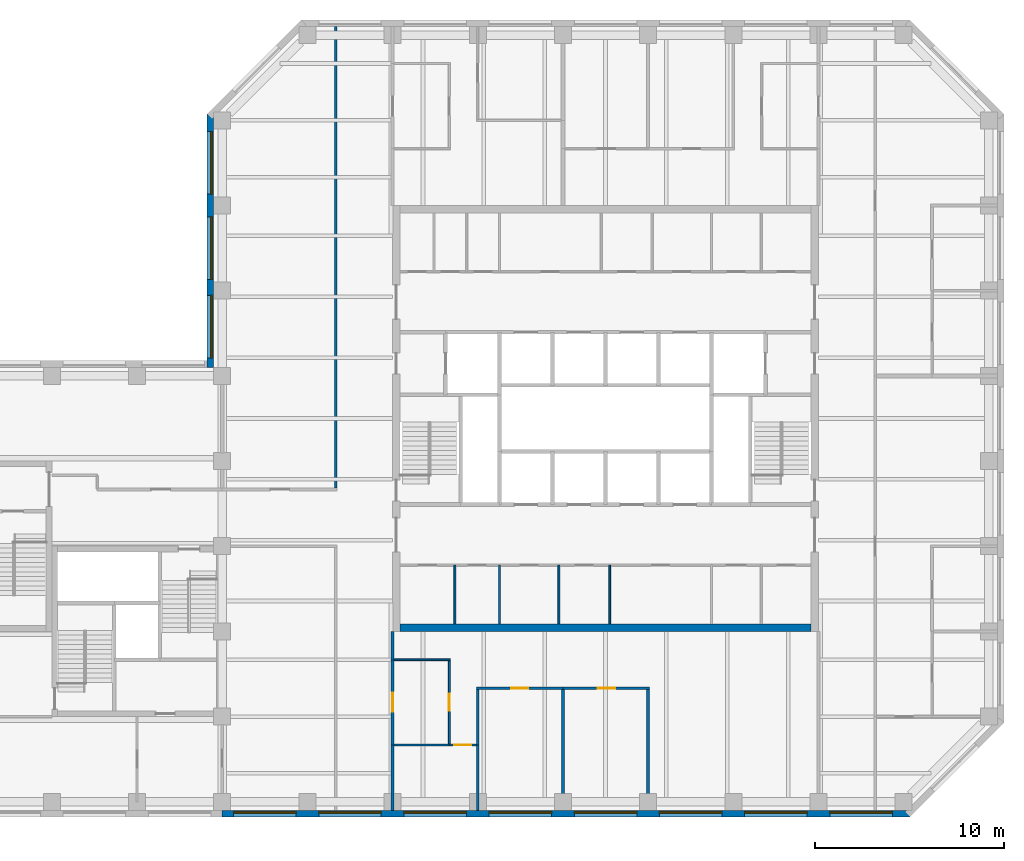
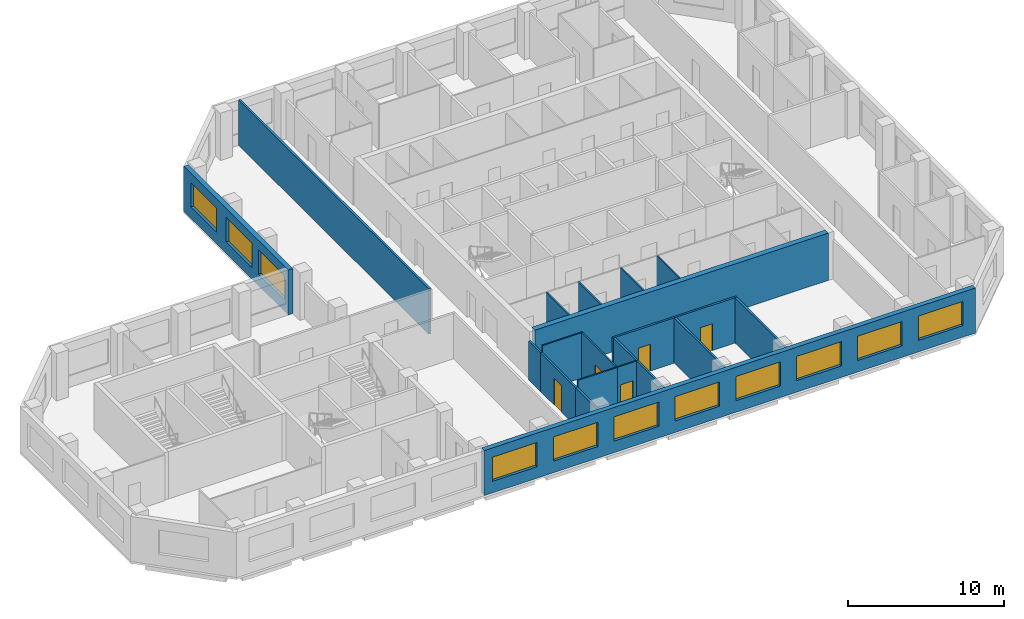
# One storey, part 4 of 9: 21 walls, 11 windows, 5 doors, 16 openings.
"""IFC4 building model written with IfcOpenShell, lengths in metres."""

from ifc_helpers import new_model, si_unit, direction, frame, frame_2d, origin, place, context, subcontext, project, spatial, rectangle, extrude, material, layer, layer_set, constituent, constituent_set, type_object, element, fill, save


model = new_model("IFC4")

# Units and contexts
model_context = context("Model", 3, precision=1e-05, world=origin(), true_north=direction((0.0, 1.0)))
body_context = subcontext(model_context, "Body", "Model", "MODEL_VIEW")
ifc_project = project(units=[si_unit("LENGTHUNIT", "METRE"), si_unit("AREAUNIT", "SQUARE_METRE"), si_unit("VOLUMEUNIT", "CUBIC_METRE"), si_unit("PLANEANGLEUNIT", "RADIAN"), si_unit("MASSUNIT", "GRAM", prefix="KILO")], contexts=[model_context])

# Site, building, storey
site_placement = place(None, origin())
site = spatial("IfcSite", under=ifc_project, at=site_placement, CompositionType="ELEMENT")
building_placement = place(site_placement, origin())
building = spatial("IfcBuilding", under=site, at=building_placement, Name="Quoin Convention Tower", CompositionType="ELEMENT")
storey_placement = place(building_placement, frame((0.0, 0.0, 252.60009765625)))
storey = spatial("IfcBuildingStorey", under=building, at=storey_placement, Name="L66", CompositionType="ELEMENT", Elevation=252.60009765625)

# Wall, opening, door
ifc_material_1 = material(Name="Plasterboard")
ifc_layer_1 = layer(ifc_material_1, 0.012451171875, Name="Finish")
ifc_material_2 = material(Name="Steel stud framing", Category="steel")
ifc_layer_2 = layer(ifc_material_2, 0.125, Name="Structure")
ifc_layer_3 = layer(ifc_material_1, 0.012451171875, Name="Finish")
ifc_layer_set_1 = layer_set([ifc_layer_1, ifc_layer_2, ifc_layer_3], Name="Steel stud framing")
wall_type_1 = type_object("IfcWallType", Name="Acoustic partition 150", PredefinedType="PARTITIONING", material=ifc_layer_set_1)
wall_1_placement = place(storey_placement, frame((49.425048828125, 46.5, 0.0), z_axis=(0.0, 0.0, 1.0), x_axis=(1.0, 0.0, 0.0)))
wall_1 = element("IfcWall", 1, at=wall_1_placement, inside=storey, type_object=wall_type_1, Name="pw-L66-009", PredefinedType="PARTITIONING", context=body_context, shape_type="SweptSolid", body=[
    extrude(rectangle(XDim=4.574951171875, YDim=0.14990234375, at=frame_2d((2.28759765625, 0.0))), origin(), (0.0, 0.0, 1.0), 3.5498046875),
])
opening_1_placement = place(wall_1_placement, frame((1.85009765625, 0.0, 0.0)))
opening_1 = element("IfcOpeningElement", 2, at=opening_1_placement, cuts=wall_1, Name="Opening DOH12-03", PredefinedType="OPENING", context=body_context, shape_type="SweptSolid", body=[
    extrude(rectangle(XDim=0.89990234375, YDim=2.10009765625, at=frame_2d((0.449951171875, 1.050048828125))), frame((0.0, 0.0849609375, 0.0), z_axis=(0.0, -1.0, 0.0), x_axis=(1.0, 0.0, 0.0)), (0.0, 0.0, 1.0), 0.169921875),
])
ifc_material_3 = material(Name="Steel door leaf", Category="steel")
door_type_1 = type_object("IfcDoorType", Name="Office door 900 x 2100", OperationType="SINGLE_SWING_RIGHT", PredefinedType="DOOR", material=ifc_material_3)
door_1_placement = place(opening_1_placement, origin())
door_1 = element("IfcDoor", 3, at=door_1_placement, inside=storey, type_object=door_type_1, Name="dr-L66-13", OperationType="SINGLE_SWING_RIGHT", OverallHeight=2.10009765625, OverallWidth=0.89990234375, PredefinedType="DOOR", context=body_context, shape_type="SweptSolid", body=[
    extrude(rectangle(XDim=0.89990234375, YDim=2.10009765625, at=frame_2d((0.449951171875, 1.050048828125))), frame((0.0, 0.02490234375, 0.0), z_axis=(0.0, -1.0, 0.0), x_axis=(1.0, 0.0, 0.0)), (0.0, 0.0, 1.0), 0.050048828125),
])
fill(opening_1, door_1)

wall_2_placement = place(storey_placement, frame((54.0, 46.5, 0.0), z_axis=(0.0, 0.0, 1.0), x_axis=(1.0, 0.0, 0.0)))
wall_2 = element("IfcWall", 4, at=wall_2_placement, inside=storey, type_object=wall_type_1, Name="pw-L66-010", PredefinedType="PARTITIONING", context=body_context, shape_type="SweptSolid", body=[
    extrude(rectangle(XDim=4.574951171875, YDim=0.14990234375, at=frame_2d((2.28759765625, 0.0))), origin(), (0.0, 0.0, 1.0), 3.5498046875),
])
opening_2_placement = place(wall_2_placement, frame((1.85009765625, 0.0, 0.0)))
opening_2 = element("IfcOpeningElement", 5, at=opening_2_placement, cuts=wall_2, Name="Opening DOH12-04", PredefinedType="OPENING", context=body_context, shape_type="SweptSolid", body=[
    extrude(rectangle(XDim=0.89990234375, YDim=2.10009765625, at=frame_2d((0.449951171875, 1.050048828125))), frame((0.0, 0.0849609375, 0.0), z_axis=(0.0, -1.0, 0.0), x_axis=(1.0, 0.0, 0.0)), (0.0, 0.0, 1.0), 0.169921875),
])
door_2_placement = place(opening_2_placement, origin())
door_2 = element("IfcDoor", 6, at=door_2_placement, inside=storey, type_object=door_type_1, Name="dr-L66-14", OperationType="SINGLE_SWING_RIGHT", OverallHeight=2.10009765625, OverallWidth=0.89990234375, PredefinedType="DOOR", context=body_context, shape_type="SweptSolid", body=[
    extrude(rectangle(XDim=0.89990234375, YDim=2.10009765625, at=frame_2d((0.449951171875, 1.050048828125))), frame((0.0, 0.02490234375, 0.0), z_axis=(0.0, -1.0, 0.0), x_axis=(1.0, 0.0, 0.0)), (0.0, 0.0, 1.0), 0.050048828125),
])
fill(opening_2, door_2)

# Walls
wall_3_placement = place(storey_placement, frame((49.5, 40.050048828125, 0.0), z_axis=(0.0, 0.0, 1.0), x_axis=(0.0, 1.0, 0.0)))
element("IfcWall", 7, at=wall_3_placement, inside=storey, type_object=wall_type_1, Name="pw-L66-036", PredefinedType="PARTITIONING", context=body_context, shape_type="SweptSolid", body=[
    extrude(rectangle(XDim=3.449951171875, YDim=0.14990234375, at=frame_2d((1.72509765625, 0.0))), origin(), (0.0, 0.0, 1.0), 3.5498046875),
])
for number, where, z_axis, x_axis, name in (
    (8, (54.0, 40.050048828125, 0.0), (0.0, 0.0, 1.0), (0.0, 1.0, 0.0), "pw-L66-037"),
    (9, (58.5, 40.050048828125, 0.0), (0.0, 0.0, 1.0), (0.0, 1.0, 0.0), "pw-L66-038"),
):
    element("IfcWall", number, at=place(storey_placement, frame(where, z_axis=z_axis, x_axis=x_axis)), inside=storey, type_object=wall_type_1, Name=name, PredefinedType="PARTITIONING", context=body_context, shape_type="SweptSolid", body=[
        extrude(rectangle(XDim=6.375, YDim=0.14990234375, at=frame_2d((3.1875, 0.0))), origin(), (0.0, 0.0, 1.0), 3.5498046875),
    ])
wall_4_placement = place(storey_placement, frame((49.5, 43.5, 0.0), z_axis=(0.0, 0.0, 1.0), x_axis=(0.0, 1.0, 0.0)))
element("IfcWall", 10, at=wall_4_placement, inside=storey, type_object=wall_type_1, Name="pw-L66-044", PredefinedType="PARTITIONING", context=body_context, shape_type="SweptSolid", body=[
    extrude(rectangle(XDim=2.925048828125, YDim=0.14990234375, at=frame_2d((1.46240234375, 0.0))), origin(), (0.0, 0.0, 1.0), 3.5498046875),
])

# Wall, openings, windows
ifc_material_4 = material(Name="Brick masonry", Category="masonry")
ifc_layer_4 = layer(ifc_material_4, 0.35009765625)
ifc_layer_set_2 = layer_set([ifc_layer_4], Name="Brick masonry")
wall_type_2 = type_object("IfcWallType", Name="Brick facade wall", PredefinedType="STANDARD", material=ifc_layer_set_2)
wall_5_placement = place(storey_placement, frame((36.0, 39.875, 0.0), z_axis=(0.0, 0.0, 1.0), x_axis=(1.0, 0.0, 0.0)))
wall_5 = element("IfcWall", 11, at=wall_5_placement, inside=storey, type_object=wall_type_2, Name="fw-L66-36000_40500", PredefinedType="STANDARD", context=body_context, shape_type="SweptSolid", body=[
    extrude(rectangle(XDim=36.331298828125, YDim=0.35009765625, at=frame_2d((18.16552734375, 0.0))), origin(), (0.0, 0.0, 1.0), 3.52490234375),
])
opening_3_placement = place(wall_5_placement, frame((0.60009765625, 0.0, 0.89990234375)))
opening_3 = element("IfcOpeningElement", 12, at=opening_3_placement, cuts=wall_5, Name="Opening W-02", PredefinedType="OPENING", context=body_context, shape_type="SweptSolid", body=[
    extrude(rectangle(XDim=3.300048828125, YDim=1.89990234375, at=frame_2d((1.64990234375, 0.949951171875))), frame((0.0, 0.18505859375, 0.0), z_axis=(0.0, -1.0, 0.0), x_axis=(1.0, 0.0, 0.0)), (0.0, 0.0, 1.0), 0.3701171875),
])
opening_4_placement = place(wall_5_placement, frame((5.10009765625, 0.0, 0.89990234375)))
opening_4 = element("IfcOpeningElement", 13, at=opening_4_placement, cuts=wall_5, Name="Opening W-02", PredefinedType="OPENING", context=body_context, shape_type="SweptSolid", body=[
    extrude(rectangle(XDim=3.300048828125, YDim=1.89990234375, at=frame_2d((1.64990234375, 0.949951171875))), frame((0.0, 0.18505859375, 0.0), z_axis=(0.0, -1.0, 0.0), x_axis=(1.0, 0.0, 0.0)), (0.0, 0.0, 1.0), 0.3701171875),
])
opening_5_placement = place(wall_5_placement, frame((9.60009765625, 0.0, 0.89990234375)))
opening_5 = element("IfcOpeningElement", 14, at=opening_5_placement, cuts=wall_5, Name="Opening W-02", PredefinedType="OPENING", context=body_context, shape_type="SweptSolid", body=[
    extrude(rectangle(XDim=3.300048828125, YDim=1.89990234375, at=frame_2d((1.64990234375, 0.949951171875))), frame((0.0, 0.18505859375, 0.0), z_axis=(0.0, -1.0, 0.0), x_axis=(1.0, 0.0, 0.0)), (0.0, 0.0, 1.0), 0.3701171875),
])
opening_6_placement = place(wall_5_placement, frame((14.10009765625, 0.0, 0.89990234375)))
opening_6 = element("IfcOpeningElement", 15, at=opening_6_placement, cuts=wall_5, Name="Opening W-02", PredefinedType="OPENING", context=body_context, shape_type="SweptSolid", body=[
    extrude(rectangle(XDim=3.300048828125, YDim=1.89990234375, at=frame_2d((1.64990234375, 0.949951171875))), frame((0.0, 0.18505859375, 0.0), z_axis=(0.0, -1.0, 0.0), x_axis=(1.0, 0.0, 0.0)), (0.0, 0.0, 1.0), 0.3701171875),
])
opening_7_placement = place(wall_5_placement, frame((18.60009765625, 0.0, 0.89990234375)))
opening_7 = element("IfcOpeningElement", 16, at=opening_7_placement, cuts=wall_5, Name="Opening W-02", PredefinedType="OPENING", context=body_context, shape_type="SweptSolid", body=[
    extrude(rectangle(XDim=3.300048828125, YDim=1.89990234375, at=frame_2d((1.64990234375, 0.949951171875))), frame((0.0, 0.18505859375, 0.0), z_axis=(0.0, -1.0, 0.0), x_axis=(1.0, 0.0, 0.0)), (0.0, 0.0, 1.0), 0.3701171875),
])
opening_8_placement = place(wall_5_placement, frame((23.10009765625, 0.0, 0.89990234375)))
opening_8 = element("IfcOpeningElement", 17, at=opening_8_placement, cuts=wall_5, Name="Opening W-02", PredefinedType="OPENING", context=body_context, shape_type="SweptSolid", body=[
    extrude(rectangle(XDim=3.300048828125, YDim=1.89990234375, at=frame_2d((1.64990234375, 0.949951171875))), frame((0.0, 0.18505859375, 0.0), z_axis=(0.0, -1.0, 0.0), x_axis=(1.0, 0.0, 0.0)), (0.0, 0.0, 1.0), 0.3701171875),
])
opening_9_placement = place(wall_5_placement, frame((27.60009765625, 0.0, 0.89990234375)))
opening_9 = element("IfcOpeningElement", 18, at=opening_9_placement, cuts=wall_5, Name="Opening W-02", PredefinedType="OPENING", context=body_context, shape_type="SweptSolid", body=[
    extrude(rectangle(XDim=3.300048828125, YDim=1.89990234375, at=frame_2d((1.64990234375, 0.949951171875))), frame((0.0, 0.18505859375, 0.0), z_axis=(0.0, -1.0, 0.0), x_axis=(1.0, 0.0, 0.0)), (0.0, 0.0, 1.0), 0.3701171875),
])
opening_10_placement = place(wall_5_placement, frame((32.10009765625, 0.0, 0.89990234375)))
opening_10 = element("IfcOpeningElement", 19, at=opening_10_placement, cuts=wall_5, Name="Opening W-02", PredefinedType="OPENING", context=body_context, shape_type="SweptSolid", body=[
    extrude(rectangle(XDim=3.300048828125, YDim=1.89990234375, at=frame_2d((1.64990234375, 0.949951171875))), frame((0.0, 0.18505859375, 0.0), z_axis=(0.0, -1.0, 0.0), x_axis=(1.0, 0.0, 0.0)), (0.0, 0.0, 1.0), 0.3701171875),
])
ifc_material_5 = material(Name="Aluminium", Category="aluminium")
ifc_constituent_1 = constituent(ifc_material_5, Name="Frame")
ifc_material_6 = material(Name="Insulated glass", Category="glass")
ifc_constituent_2 = constituent(ifc_material_6, Name="Glazing")
ifc_constituent_set = constituent_set(constituents=[ifc_constituent_1, ifc_constituent_2], Name="Aluminium")
window_type = type_object("IfcWindowType", Name="Office window", PartitioningType="DOUBLE_PANEL_VERTICAL", PredefinedType="WINDOW", material=ifc_constituent_set)
window_1_placement = place(opening_3_placement, origin())
window_1 = element("IfcWindow", 20, at=window_1_placement, inside=storey, type_object=window_type, Name="win-L66-38250_39875", OverallHeight=1.89990234375, OverallWidth=3.300048828125, PartitioningType="SINGLE_PANEL", PredefinedType="WINDOW", context=body_context, shape_type="SweptSolid", body=[
    extrude(rectangle(XDim=3.300048828125, YDim=1.89990234375, at=frame_2d((1.64990234375, 0.949951171875))), frame((0.0, 0.0849609375, 0.0), z_axis=(0.0, -1.0, 0.0), x_axis=(1.0, 0.0, 0.0)), (0.0, 0.0, 1.0), 0.06005859375),
])
fill(opening_3, window_1)
window_2_placement = place(opening_4_placement, origin())
window_2 = element("IfcWindow", 21, at=window_2_placement, inside=storey, type_object=window_type, Name="win-L66-42750_39875", OverallHeight=1.89990234375, OverallWidth=3.300048828125, PartitioningType="SINGLE_PANEL", PredefinedType="WINDOW", context=body_context, shape_type="SweptSolid", body=[
    extrude(rectangle(XDim=3.300048828125, YDim=1.89990234375, at=frame_2d((1.64990234375, 0.949951171875))), frame((0.0, 0.0849609375, 0.0), z_axis=(0.0, -1.0, 0.0), x_axis=(1.0, 0.0, 0.0)), (0.0, 0.0, 1.0), 0.06005859375),
])
fill(opening_4, window_2)
window_3_placement = place(opening_5_placement, origin())
window_3 = element("IfcWindow", 22, at=window_3_placement, inside=storey, type_object=window_type, Name="win-L66-47250_39875", OverallHeight=1.89990234375, OverallWidth=3.300048828125, PartitioningType="SINGLE_PANEL", PredefinedType="WINDOW", context=body_context, shape_type="SweptSolid", body=[
    extrude(rectangle(XDim=3.300048828125, YDim=1.89990234375, at=frame_2d((1.64990234375, 0.949951171875))), frame((0.0, 0.0849609375, 0.0), z_axis=(0.0, -1.0, 0.0), x_axis=(1.0, 0.0, 0.0)), (0.0, 0.0, 1.0), 0.06005859375),
])
fill(opening_5, window_3)
window_4_placement = place(opening_6_placement, origin())
window_4 = element("IfcWindow", 23, at=window_4_placement, inside=storey, type_object=window_type, Name="win-L66-51750_39875", OverallHeight=1.89990234375, OverallWidth=3.300048828125, PartitioningType="SINGLE_PANEL", PredefinedType="WINDOW", context=body_context, shape_type="SweptSolid", body=[
    extrude(rectangle(XDim=3.300048828125, YDim=1.89990234375, at=frame_2d((1.64990234375, 0.949951171875))), frame((0.0, 0.0849609375, 0.0), z_axis=(0.0, -1.0, 0.0), x_axis=(1.0, 0.0, 0.0)), (0.0, 0.0, 1.0), 0.06005859375),
])
fill(opening_6, window_4)
window_5_placement = place(opening_7_placement, origin())
window_5 = element("IfcWindow", 24, at=window_5_placement, inside=storey, type_object=window_type, Name="win-L66-56250_39875", OverallHeight=1.89990234375, OverallWidth=3.300048828125, PartitioningType="SINGLE_PANEL", PredefinedType="WINDOW", context=body_context, shape_type="SweptSolid", body=[
    extrude(rectangle(XDim=3.300048828125, YDim=1.89990234375, at=frame_2d((1.64990234375, 0.949951171875))), frame((0.0, 0.0849609375, 0.0), z_axis=(0.0, -1.0, 0.0), x_axis=(1.0, 0.0, 0.0)), (0.0, 0.0, 1.0), 0.06005859375),
])
fill(opening_7, window_5)
window_6_placement = place(opening_8_placement, origin())
window_6 = element("IfcWindow", 25, at=window_6_placement, inside=storey, type_object=window_type, Name="win-L66-60750_39875", OverallHeight=1.89990234375, OverallWidth=3.300048828125, PartitioningType="SINGLE_PANEL", PredefinedType="WINDOW", context=body_context, shape_type="SweptSolid", body=[
    extrude(rectangle(XDim=3.300048828125, YDim=1.89990234375, at=frame_2d((1.64990234375, 0.949951171875))), frame((0.0, 0.0849609375, 0.0), z_axis=(0.0, -1.0, 0.0), x_axis=(1.0, 0.0, 0.0)), (0.0, 0.0, 1.0), 0.06005859375),
])
fill(opening_8, window_6)
window_7_placement = place(opening_9_placement, origin())
window_7 = element("IfcWindow", 26, at=window_7_placement, inside=storey, type_object=window_type, Name="win-L66-65250_39875", OverallHeight=1.89990234375, OverallWidth=3.300048828125, PartitioningType="SINGLE_PANEL", PredefinedType="WINDOW", context=body_context, shape_type="SweptSolid", body=[
    extrude(rectangle(XDim=3.300048828125, YDim=1.89990234375, at=frame_2d((1.64990234375, 0.949951171875))), frame((0.0, 0.0849609375, 0.0), z_axis=(0.0, -1.0, 0.0), x_axis=(1.0, 0.0, 0.0)), (0.0, 0.0, 1.0), 0.06005859375),
])
fill(opening_9, window_7)
window_8_placement = place(opening_10_placement, origin())
window_8 = element("IfcWindow", 27, at=window_8_placement, inside=storey, type_object=window_type, Name="win-L66-69750_39875", OverallHeight=1.89990234375, OverallWidth=3.300048828125, PartitioningType="SINGLE_PANEL", PredefinedType="WINDOW", context=body_context, shape_type="SweptSolid", body=[
    extrude(rectangle(XDim=3.300048828125, YDim=1.89990234375, at=frame_2d((1.64990234375, 0.949951171875))), frame((0.0, 0.0849609375, 0.0), z_axis=(0.0, -1.0, 0.0), x_axis=(1.0, 0.0, 0.0)), (0.0, 0.0, 1.0), 0.06005859375),
])
fill(opening_10, window_8)

wall_6_placement = place(storey_placement, frame((35.375, 76.831298828125, 0.0), z_axis=(0.0, 0.0, 1.0), x_axis=(0.0, -1.0, 0.0)))
wall_6 = element("IfcWall", 28, at=wall_6_placement, inside=storey, type_object=wall_type_2, Name="fw-L66-36000_76500", PredefinedType="STANDARD", context=body_context, shape_type="SweptSolid", body=[
    extrude(rectangle(XDim=13.38134765625, YDim=0.35009765625, at=frame_2d((6.690673828125, 0.0))), origin(), (0.0, 0.0, 1.0), 3.52490234375),
])
opening_11_placement = place(wall_6_placement, frame((0.931396484375, 0.0, 0.89990234375)))
opening_11 = element("IfcOpeningElement", 29, at=opening_11_placement, cuts=wall_6, Name="Opening W-02", PredefinedType="OPENING", context=body_context, shape_type="SweptSolid", body=[
    extrude(rectangle(XDim=3.300048828125, YDim=1.89990234375, at=frame_2d((1.64990234375, 0.949951171875))), frame((0.0, 0.18505859375, 0.0), z_axis=(0.0, -1.0, 0.0), x_axis=(1.0, 0.0, 0.0)), (0.0, 0.0, 1.0), 0.3701171875),
])
opening_12_placement = place(wall_6_placement, frame((5.431396484375, 0.0, 0.89990234375)))
opening_12 = element("IfcOpeningElement", 30, at=opening_12_placement, cuts=wall_6, Name="Opening W-02", PredefinedType="OPENING", context=body_context, shape_type="SweptSolid", body=[
    extrude(rectangle(XDim=3.300048828125, YDim=1.89990234375, at=frame_2d((1.64990234375, 0.949951171875))), frame((0.0, 0.18505859375, 0.0), z_axis=(0.0, -1.0, 0.0), x_axis=(1.0, 0.0, 0.0)), (0.0, 0.0, 1.0), 0.3701171875),
])
opening_13_placement = place(wall_6_placement, frame((9.581298828125, 0.0, 0.89990234375)))
opening_13 = element("IfcOpeningElement", 31, at=opening_13_placement, cuts=wall_6, Name="Opening W-02", PredefinedType="OPENING", context=body_context, shape_type="SweptSolid", body=[
    extrude(rectangle(XDim=3.300048828125, YDim=1.89990234375, at=frame_2d((1.64990234375, 0.949951171875))), frame((0.0, 0.18505859375, 0.0), z_axis=(0.0, -1.0, 0.0), x_axis=(1.0, 0.0, 0.0)), (0.0, 0.0, 1.0), 0.3701171875),
])
window_9_placement = place(opening_11_placement, origin())
window_9 = element("IfcWindow", 32, at=window_9_placement, inside=storey, type_object=window_type, Name="win-L66-35375_74250", OverallHeight=1.89990234375, OverallWidth=3.300048828125, PartitioningType="SINGLE_PANEL", PredefinedType="WINDOW", context=body_context, shape_type="SweptSolid", body=[
    extrude(rectangle(XDim=3.300048828125, YDim=1.89990234375, at=frame_2d((1.64990234375, 0.949951171875))), frame((0.0, 0.0849609375, 0.0), z_axis=(0.0, -1.0, 0.0), x_axis=(1.0, 0.0, 0.0)), (0.0, 0.0, 1.0), 0.06005859375),
])
fill(opening_11, window_9)
window_10_placement = place(opening_12_placement, origin())
window_10 = element("IfcWindow", 33, at=window_10_placement, inside=storey, type_object=window_type, Name="win-L66-35375_69750", OverallHeight=1.89990234375, OverallWidth=3.300048828125, PartitioningType="SINGLE_PANEL", PredefinedType="WINDOW", context=body_context, shape_type="SweptSolid", body=[
    extrude(rectangle(XDim=3.300048828125, YDim=1.89990234375, at=frame_2d((1.64990234375, 0.949951171875))), frame((0.0, 0.0849609375, 0.0), z_axis=(0.0, -1.0, 0.0), x_axis=(1.0, 0.0, 0.0)), (0.0, 0.0, 1.0), 0.06005859375),
])
fill(opening_12, window_10)
window_11_placement = place(opening_13_placement, origin())
window_11 = element("IfcWindow", 34, at=window_11_placement, inside=storey, type_object=window_type, Name="win-L66-35375_65250", OverallHeight=1.89990234375, OverallWidth=3.300048828125, PartitioningType="SINGLE_PANEL", PredefinedType="WINDOW", context=body_context, shape_type="SweptSolid", body=[
    extrude(rectangle(XDim=3.300048828125, YDim=1.89990234375, at=frame_2d((1.64990234375, 0.949951171875))), frame((0.0, 0.0849609375, 0.0), z_axis=(0.0, -1.0, 0.0), x_axis=(1.0, 0.0, 0.0)), (0.0, 0.0, 1.0), 0.06005859375),
])
fill(opening_13, window_11)

# Walls
ifc_layer_5 = layer(ifc_material_1, 0.012451171875, Name="Finish")
ifc_layer_6 = layer(ifc_material_2, 0.074951171875, Name="Structure")
ifc_layer_7 = layer(ifc_material_1, 0.012451171875, Name="Finish")
ifc_layer_set_3 = layer_set([ifc_layer_5, ifc_layer_6, ifc_layer_7], Name="Steel stud framing")
wall_type_3 = type_object("IfcWallType", Name="Core partition wall", PredefinedType="PARTITIONING", material=ifc_layer_set_3)
for number, where, z_axis, x_axis, name in (
    (35, (48.28759765625, 49.89990234375, 0.0), (0.0, 0.0, 1.0), (0.0, 1.0, 0.0), "cr-C1-L66-v3288_400"),
    (36, (50.64990234375, 49.89990234375, 0.0), (0.0, 0.0, 1.0), (0.0, 1.0, 0.0), "cr-C1-L66-v5650_400"),
    (37, (53.785888671875, 49.89990234375, 0.0), (0.0, 0.0, 1.0), (0.0, 1.0, 0.0), "cr-C1-L66-v8786_400"),
    (38, (56.47412109375, 49.89990234375, 0.0), (0.0, 0.0, 1.0), (0.0, 1.0, 0.0), "cr-C1-L66-v11474_400"),
):
    element("IfcWall", number, at=place(storey_placement, frame(where, z_axis=z_axis, x_axis=x_axis)), inside=storey, type_object=wall_type_3, Name=name, PredefinedType="PARTITIONING", context=body_context, shape_type="SweptSolid", body=[
        extrude(rectangle(XDim=3.10009765625, YDim=0.10009765625, at=frame_2d((1.550048828125, 0.0))), origin(), (0.0, 0.0, 1.0), 3.5498046875),
    ])
ifc_layer_8 = layer(ifc_material_1, 0.012451171875, Name="Finish")
ifc_layer_9 = layer(ifc_material_2, 0.125, Name="Structure")
ifc_layer_10 = layer(ifc_material_1, 0.012451171875, Name="Finish")
ifc_layer_set_4 = layer_set([ifc_layer_8, ifc_layer_9, ifc_layer_10], Name="Steel stud framing")
wall_type_4 = type_object("IfcWallType", Name="Corridor wall 150", PredefinedType="PARTITIONING", material=ifc_layer_set_4)
wall_7_placement = place(storey_placement, frame((42.0, 57.074951171875, 0.0), z_axis=(0.0, 0.0, 1.0), x_axis=(0.0, 1.0, 0.0)))
element("IfcWall", 39, at=wall_7_placement, inside=storey, type_object=wall_type_4, Name="pw-L66-058", PredefinedType="PARTITIONING", context=body_context, shape_type="SweptSolid", body=[
    extrude(rectangle(XDim=24.375, YDim=0.14990234375, at=frame_2d((12.1875, 0.0))), origin(), (0.0, 0.0, 1.0), 3.5498046875),
])
ifc_layer_11 = layer(ifc_material_1, 0.012451171875, Name="Finish")
ifc_layer_12 = layer(ifc_material_2, 0.125, Name="Structure")
ifc_layer_13 = layer(ifc_material_1, 0.012451171875, Name="Finish")
ifc_layer_set_5 = layer_set([ifc_layer_11, ifc_layer_12, ifc_layer_13], Name="Steel stud framing")
wall_type_5 = type_object("IfcWallType", Name="Corridor wall 150 under beam 528", PredefinedType="PARTITIONING", material=ifc_layer_set_5)
wall_8_placement = place(storey_placement, frame((45.0, 40.050048828125, 0.0), z_axis=(0.0, 0.0, 1.0), x_axis=(0.0, 1.0, 0.0)))
element("IfcWall", 40, at=wall_8_placement, inside=storey, type_object=wall_type_5, Name="pw-L66-035", PredefinedType="PARTITIONING", context=body_context, shape_type="SweptSolid", body=[
    extrude(rectangle(XDim=3.449951171875, YDim=0.14990234375, at=frame_2d((1.72509765625, 0.0))), origin(), (0.0, 0.0, 1.0), 3.02197265625),
])

# Wall, opening, door
wall_9_placement = place(storey_placement, frame((45.0, 43.5, 0.0), z_axis=(0.0, 0.0, 1.0), x_axis=(0.0, 1.0, 0.0)))
wall_9 = element("IfcWall", 41, at=wall_9_placement, inside=storey, type_object=wall_type_5, Name="pw-L66-043", PredefinedType="PARTITIONING", context=body_context, shape_type="SweptSolid", body=[
    extrude(rectangle(XDim=4.5, YDim=0.14990234375, at=frame_2d((2.25, 0.0))), origin(), (0.0, 0.0, 1.0), 3.02197265625),
])
opening_14_placement = place(wall_9_placement, frame((1.75, 0.0, 0.0)))
opening_14 = element("IfcOpeningElement", 42, at=opening_14_placement, cuts=wall_9, Name="Opening DOH12-10", PredefinedType="OPENING", context=body_context, shape_type="SweptSolid", body=[
    extrude(rectangle(XDim=1.0, YDim=2.10009765625, at=frame_2d((0.5, 1.050048828125))), frame((0.0, 0.0849609375, 0.0), z_axis=(0.0, -1.0, 0.0), x_axis=(1.0, 0.0, 0.0)), (0.0, 0.0, 1.0), 0.169921875),
])
door_type_2 = type_object("IfcDoorType", Name="Tenancy entrance door 1000 x 2100", OperationType="DOUBLE_DOOR_SINGLE_SWING", PredefinedType="DOOR", material=ifc_material_3)
door_3_placement = place(opening_14_placement, origin())
door_3 = element("IfcDoor", 43, at=door_3_placement, inside=storey, type_object=door_type_2, Name="dr-L66-11", OperationType="DOUBLE_DOOR_SINGLE_SWING", OverallHeight=2.10009765625, OverallWidth=1.0, PredefinedType="DOOR", context=body_context, shape_type="SweptSolid", body=[
    extrude(rectangle(XDim=1.0, YDim=2.10009765625, at=frame_2d((0.5, 1.050048828125))), frame((0.0, 0.02490234375, 0.0), z_axis=(0.0, -1.0, 0.0), x_axis=(1.0, 0.0, 0.0)), (0.0, 0.0, 1.0), 0.050048828125),
])
fill(opening_14, door_3)

# Walls
wall_10_placement = place(storey_placement, frame((45.0, 48.0, 0.0), z_axis=(0.0, 0.0, 1.0), x_axis=(0.0, 1.0, 0.0)))
element("IfcWall", 44, at=wall_10_placement, inside=storey, type_object=wall_type_5, Name="pw-L66-052", PredefinedType="PARTITIONING", context=body_context, shape_type="SweptSolid", body=[
    extrude(rectangle(XDim=1.5, YDim=0.14990234375, at=frame_2d((0.75, 0.0))), origin(), (0.0, 0.0, 1.0), 3.02197265625),
])
ifc_material_7 = material(Name="Concrete C50", Category="concrete")
ifc_layer_14 = layer(ifc_material_7, 0.39990234375)
ifc_layer_set_6 = layer_set([ifc_layer_14], Name="Concrete C50")
wall_type_6 = type_object("IfcWallType", Name="RC CORE WALL 400 C50", PredefinedType="SHEAR", material=ifc_layer_set_6)
wall_11_placement = place(storey_placement, frame((45.39990234375, 49.699951171875, 0.0), z_axis=(0.0, 0.0, 1.0), x_axis=(1.0, 0.0, 0.0)))
element("IfcWall", 45, at=wall_11_placement, inside=storey, type_object=wall_type_6, Name="cwl-C1-L66-S", PredefinedType="SHEAR", context=body_context, shape_type="SweptSolid", body=[
    extrude(rectangle(XDim=21.7001953125, YDim=0.39990234375, at=frame_2d((10.85009765625, 0.0))), origin(), (0.0, 0.0, 1.0), 3.699951171875),
])
ifc_layer_15 = layer(ifc_material_1, 0.012451171875, Name="Finish")
ifc_layer_16 = layer(ifc_material_2, 0.074951171875, Name="Structure")
ifc_layer_17 = layer(ifc_material_1, 0.012451171875, Name="Finish")
ifc_layer_set_7 = layer_set([ifc_layer_15, ifc_layer_16, ifc_layer_17], Name="Steel stud framing")
wall_type_7 = type_object("IfcWallType", Name="Stud partition 100", PredefinedType="PARTITIONING", material=ifc_layer_set_7)
wall_12_placement = place(storey_placement, frame((45.074951171875, 43.5, 0.0), z_axis=(0.0, 0.0, 1.0), x_axis=(1.0, 0.0, 0.0)))
element("IfcWall", 46, at=wall_12_placement, inside=storey, type_object=wall_type_7, Name="pw-L66-002", PredefinedType="PARTITIONING", context=body_context, shape_type="SweptSolid", body=[
    extrude(rectangle(XDim=2.925048828125, YDim=0.10009765625, at=frame_2d((1.46240234375, 0.0))), origin(), (0.0, 0.0, 1.0), 3.5498046875),
])

# Wall, opening, door
wall_13_placement = place(storey_placement, frame((48.0, 43.5, 0.0), z_axis=(0.0, 0.0, 1.0), x_axis=(1.0, 0.0, 0.0)))
wall_13 = element("IfcWall", 47, at=wall_13_placement, inside=storey, type_object=wall_type_7, Name="pw-L66-003", PredefinedType="PARTITIONING", context=body_context, shape_type="SweptSolid", body=[
    extrude(rectangle(XDim=1.425048828125, YDim=0.10009765625, at=frame_2d((0.71240234375, 0.0))), origin(), (0.0, 0.0, 1.0), 3.5498046875),
])
opening_15_placement = place(wall_13_placement, frame((0.25, 0.0, 0.0)))
opening_15 = element("IfcOpeningElement", 48, at=opening_15_placement, cuts=wall_13, Name="Opening DOH12-01", PredefinedType="OPENING", context=body_context, shape_type="SweptSolid", body=[
    extrude(rectangle(XDim=0.89990234375, YDim=2.10009765625, at=frame_2d((0.449951171875, 1.050048828125))), frame((0.0, 0.06005859375, 0.0), z_axis=(0.0, -1.0, 0.0), x_axis=(1.0, 0.0, 0.0)), (0.0, 0.0, 1.0), 0.1201171875),
])
door_4_placement = place(opening_15_placement, origin())
door_4 = element("IfcDoor", 49, at=door_4_placement, inside=storey, type_object=door_type_1, Name="dr-L66-15", OperationType="SINGLE_SWING_LEFT", OverallHeight=2.10009765625, OverallWidth=0.89990234375, PredefinedType="DOOR", context=body_context, shape_type="SweptSolid", body=[
    extrude(rectangle(XDim=0.89990234375, YDim=2.10009765625, at=frame_2d((0.449951171875, 1.050048828125))), frame((0.0, 0.02490234375, 0.0), z_axis=(0.0, -1.0, 0.0), x_axis=(1.0, 0.0, 0.0)), (0.0, 0.0, 1.0), 0.050048828125),
])
fill(opening_15, door_4)

# Wall
wall_14_placement = place(storey_placement, frame((45.074951171875, 48.0, 0.0), z_axis=(0.0, 0.0, 1.0), x_axis=(1.0, 0.0, 0.0)))
element("IfcWall", 50, at=wall_14_placement, inside=storey, type_object=wall_type_7, Name="pw-L66-011", PredefinedType="PARTITIONING", context=body_context, shape_type="SweptSolid", body=[
    extrude(rectangle(XDim=2.97509765625, YDim=0.10009765625, at=frame_2d((1.487548828125, 0.0))), origin(), (0.0, 0.0, 1.0), 3.5498046875),
])

# Wall, opening, door
wall_15_placement = place(storey_placement, frame((48.0, 43.550048828125, 0.0), z_axis=(0.0, 0.0, 1.0), x_axis=(0.0, 1.0, 0.0)))
wall_15 = element("IfcWall", 51, at=wall_15_placement, inside=storey, type_object=wall_type_7, Name="pw-L66-045", PredefinedType="PARTITIONING", context=body_context, shape_type="SweptSolid", body=[
    extrude(rectangle(XDim=4.39990234375, YDim=0.10009765625, at=frame_2d((2.199951171875, 0.0))), origin(), (0.0, 0.0, 1.0), 3.5498046875),
])
opening_16_placement = place(wall_15_placement, frame((1.75, 0.0, 0.0)))
opening_16 = element("IfcOpeningElement", 52, at=opening_16_placement, cuts=wall_15, Name="Opening DOH12-11", PredefinedType="OPENING", context=body_context, shape_type="SweptSolid", body=[
    extrude(rectangle(XDim=0.89990234375, YDim=2.10009765625, at=frame_2d((0.449951171875, 1.050048828125))), frame((0.0, 0.06005859375, 0.0), z_axis=(0.0, -1.0, 0.0), x_axis=(1.0, 0.0, 0.0)), (0.0, 0.0, 1.0), 0.1201171875),
])
door_5_placement = place(opening_16_placement, frame((0.89990234375, 0.0, 0.0), z_axis=(0.0, 0.0, 1.0), x_axis=(-1.0, 0.0, 0.0)))
door_5 = element("IfcDoor", 53, at=door_5_placement, inside=storey, type_object=door_type_1, Name="dr-L66-12", OperationType="SINGLE_SWING_LEFT", OverallHeight=2.10009765625, OverallWidth=0.89990234375, PredefinedType="DOOR", context=body_context, shape_type="SweptSolid", body=[
    extrude(rectangle(XDim=0.89990234375, YDim=2.10009765625, at=frame_2d((0.449951171875, 1.050048828125))), frame((0.0, 0.02490234375, 0.0), z_axis=(0.0, -1.0, 0.0), x_axis=(1.0, 0.0, 0.0)), (0.0, 0.0, 1.0), 0.050048828125),
])
fill(opening_16, door_5)

save(model, "model.ifc")
